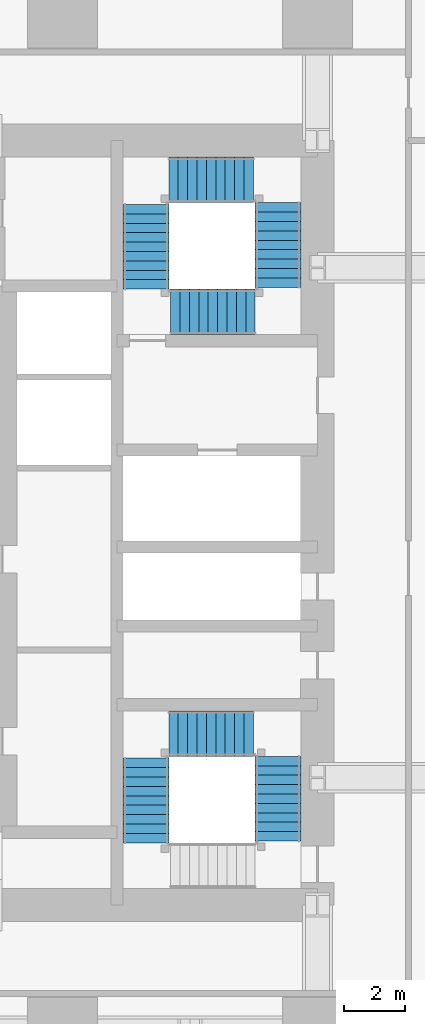
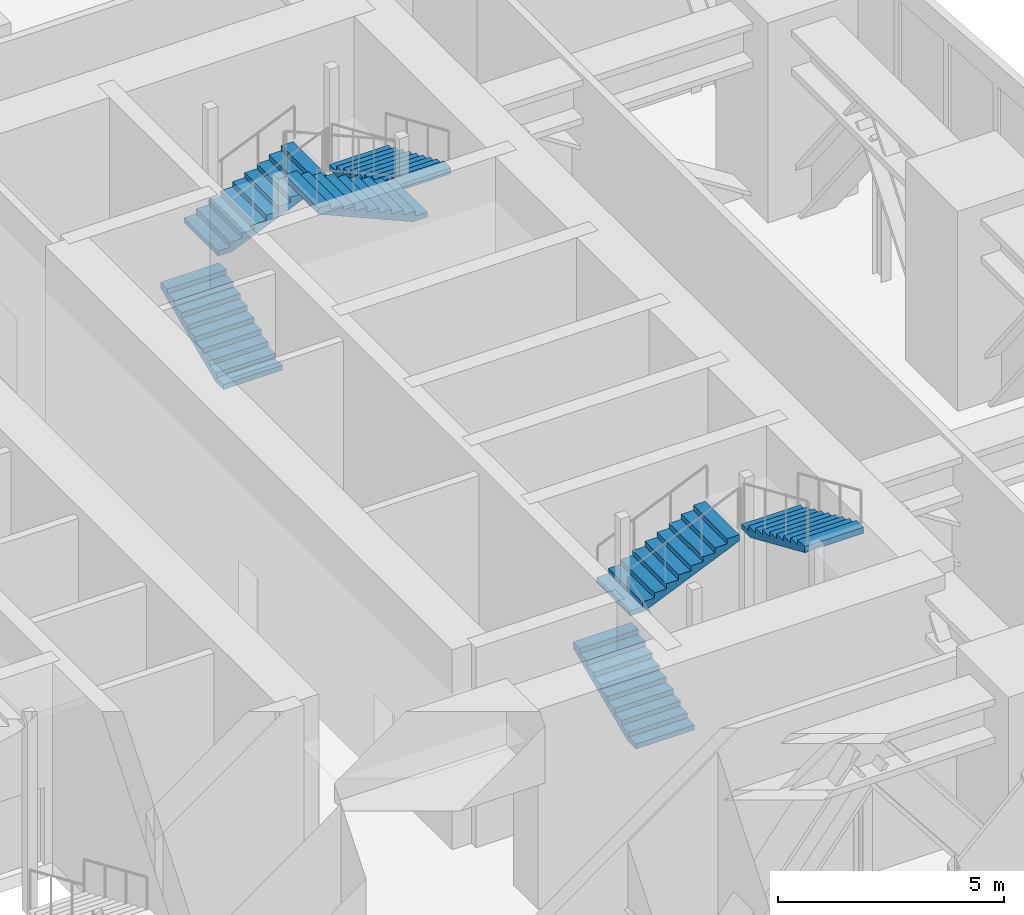
# One storey, part 12 of 16: 7 stair flights, 2 elements without a shape of their own.
"""IFC4 building model written with IfcOpenShell, lengths in metres."""

from ifc_helpers import new_model, si_unit, direction, frame, origin, place, context, subcontext, project, spatial, polyline, outline, extrude, material, type_object, element, aggregate, save


model = new_model("IFC4")

# Units and contexts
model_context = context("Model", 3, precision=1e-05, world=origin(), true_north=direction((0.0, 1.0)))
body_context = subcontext(model_context, "Body", "Model", "MODEL_VIEW")
ifc_project = project(units=[si_unit("LENGTHUNIT", "METRE"), si_unit("AREAUNIT", "SQUARE_METRE"), si_unit("VOLUMEUNIT", "CUBIC_METRE"), si_unit("PLANEANGLEUNIT", "RADIAN"), si_unit("MASSUNIT", "GRAM", prefix="KILO")], contexts=[model_context])

# Site, building, storey
site_placement = place(None, origin())
site = spatial("IfcSite", under=ifc_project, at=site_placement, CompositionType="ELEMENT")
building_placement = place(site_placement, origin())
building = spatial("IfcBuilding", under=site, at=building_placement, Name="Rekha Terrace Tower", CompositionType="ELEMENT")
storey_placement = place(building_placement, frame((0.0, 0.0, 240.199951171875)))
storey = spatial("IfcBuildingStorey", under=building, at=storey_placement, Name="L61", CompositionType="ELEMENT", Elevation=240.199951171875)

# Stair, stair flights
ifc_material = material(Name="Concrete M40", Category="concrete")
stair_type = type_object("IfcStairType", Name="ST40 stair, 40 risers of 135, going 310, 1500 wide flights, 4 flights", PredefinedType="QUARTER_TURN_STAIR", material=ifc_material)
stair_1_placement = place(storey_placement, origin())
stair_1 = element("IfcStair", 1, at=stair_1_placement, inside=storey, type_object=stair_type, Name="Stair ST2 L61 to L62", PredefinedType="QUARTER_TURN_STAIR")
stair_flight_type = type_object("IfcStairFlightType", Name="SF10 stair flight, 10 risers of 135, going 310, 1500 wide", PredefinedType="STRAIGHT", material=ifc_material)
stair_flight_1_placement = place(storey_placement, frame((44.75, 41.300048828125, 0.0), z_axis=(0.0, 0.0, 1.0), x_axis=(0.0, 1.0, 0.0)))
stair_flight_1 = element("IfcStairFlight", 2, at=stair_flight_1_placement, type_object=stair_flight_type, Name="ST2 flight 1", NumberOfRisers=10, NumberOfTreads=9, PredefinedType="STRAIGHT", RiserHeight=0.135, TreadLength=0.31, context=body_context, shape_type="SweptSolid", body=[
    extrude(outline(polyline([(0.0, 0.0), (0.0, 0.135009765625), (0.31005859375, 0.135009765625), (0.31005859375, 0.27001953125), (0.6201171875, 0.27001953125), (0.6201171875, 0.405029296875), (0.929931640625, 0.405029296875), (0.929931640625, 0.5400390625), (1.239990234375, 0.5400390625), (1.239990234375, 0.675048828125), (1.550048828125, 0.675048828125), (1.550048828125, 0.81005859375), (1.860107421875, 0.81005859375), (1.860107421875, 0.945068359375), (2.169921875, 0.945068359375), (2.169921875, 1.080078125), (2.47998046875, 1.080078125), (2.47998046875, 1.215087890625), (2.7900390625, 1.215087890625), (2.7900390625, 1.35009765625), (2.7900390625, 1.051513671875), (0.37548828125, 0.0), (0.0, 0.0)])), frame((0.0, 0.75, 0.0), z_axis=(0.0, -1.0, 0.0), x_axis=(1.0, 0.0, 0.0)), (0.0, 0.0, 1.0), 1.5),
])
stair_flight_2_placement = place(storey_placement, frame((45.5, 44.89990234375, 1.35009765625), z_axis=(0.0, 0.0, 1.0), x_axis=(1.0, 0.0, 0.0)))
stair_flight_2 = element("IfcStairFlight", 3, at=stair_flight_2_placement, type_object=stair_flight_type, Name="ST2 flight 2", NumberOfRisers=10, NumberOfTreads=9, PredefinedType="STRAIGHT", RiserHeight=0.135, TreadLength=0.31, context=body_context, shape_type="SweptSolid", body=[
    extrude(outline(polyline([(0.0, 0.0), (0.0, 0.135009765625), (0.31005859375, 0.135009765625), (0.31005859375, 0.27001953125), (0.6201171875, 0.27001953125), (0.6201171875, 0.405029296875), (0.929931640625, 0.405029296875), (0.929931640625, 0.5400390625), (1.239990234375, 0.5400390625), (1.239990234375, 0.675048828125), (1.550048828125, 0.675048828125), (1.550048828125, 0.81005859375), (1.860107421875, 0.81005859375), (1.860107421875, 0.945068359375), (2.169921875, 0.945068359375), (2.169921875, 1.080078125), (2.47998046875, 1.080078125), (2.47998046875, 1.215087890625), (2.7900390625, 1.215087890625), (2.7900390625, 1.35009765625), (2.7900390625, 1.051513671875), (0.37548828125, 0.0), (0.0, 0.0)])), frame((0.0, 0.75, 0.0), z_axis=(0.0, -1.0, 0.0), x_axis=(1.0, 0.0, 0.0)), (0.0, 0.0, 1.0), 1.5),
])
stair_flight_3_placement = place(storey_placement, frame((49.10009765625, 44.14990234375, 2.699951171875), z_axis=(0.0, 0.0, 1.0), x_axis=(0.0, -1.0, 0.0)))
stair_flight_3 = element("IfcStairFlight", 4, at=stair_flight_3_placement, type_object=stair_flight_type, Name="ST2 flight 3", NumberOfRisers=10, NumberOfTreads=9, PredefinedType="STRAIGHT", RiserHeight=0.135, TreadLength=0.31, context=body_context, shape_type="SweptSolid", body=[
    extrude(outline(polyline([(0.0, 0.0), (0.0, 0.135009765625), (0.31005859375, 0.135009765625), (0.31005859375, 0.27001953125), (0.6201171875, 0.27001953125), (0.6201171875, 0.405029296875), (0.929931640625, 0.405029296875), (0.929931640625, 0.5400390625), (1.239990234375, 0.5400390625), (1.239990234375, 0.675048828125), (1.550048828125, 0.675048828125), (1.550048828125, 0.81005859375), (1.860107421875, 0.81005859375), (1.860107421875, 0.945068359375), (2.169921875, 0.945068359375), (2.169921875, 1.080078125), (2.47998046875, 1.080078125), (2.47998046875, 1.215087890625), (2.7900390625, 1.215087890625), (2.7900390625, 1.35009765625), (2.7900390625, 1.051513671875), (0.37548828125, 0.0), (0.0, 0.0)])), frame((0.0, 0.75, 0.0), z_axis=(0.0, -1.0, 0.0), x_axis=(1.0, 0.0, 0.0)), (0.0, 0.0, 1.0), 1.5),
])
stair_flight_4_placement = place(storey_placement, frame((48.35009765625, 40.550048828125, 4.050048828125), z_axis=(0.0, 0.0, 1.0), x_axis=(-1.0, 0.0, 0.0)))
stair_flight_4 = element("IfcStairFlight", 5, at=stair_flight_4_placement, type_object=stair_flight_type, Name="ST2 flight 4", NumberOfRisers=10, NumberOfTreads=9, PredefinedType="STRAIGHT", RiserHeight=0.135, TreadLength=0.31, context=body_context, shape_type="SweptSolid", body=[
    extrude(outline(polyline([(0.0, 0.0), (0.0, 0.135009765625), (0.31005859375, 0.135009765625), (0.31005859375, 0.27001953125), (0.6201171875, 0.27001953125), (0.6201171875, 0.405029296875), (0.929931640625, 0.405029296875), (0.929931640625, 0.5400390625), (1.239990234375, 0.5400390625), (1.239990234375, 0.675048828125), (1.550048828125, 0.675048828125), (1.550048828125, 0.81005859375), (1.860107421875, 0.81005859375), (1.860107421875, 0.945068359375), (2.169921875, 0.945068359375), (2.169921875, 1.080078125), (2.47998046875, 1.080078125), (2.47998046875, 1.215087890625), (2.7900390625, 1.215087890625), (2.7900390625, 1.35009765625), (2.7900390625, 1.051513671875), (0.37548828125, 0.0), (0.0, 0.0)])), frame((0.0, 0.75, 0.0), z_axis=(0.0, -1.0, 0.0), x_axis=(1.0, 0.0, 0.0)), (0.0, 0.0, 1.0), 1.5),
])
aggregate(stair_1, [stair_flight_1, stair_flight_2, stair_flight_3, stair_flight_4])

stair_2_placement = place(storey_placement, origin())
stair_2 = element("IfcStair", 6, at=stair_2_placement, inside=storey, type_object=stair_type, Name="Stair ST3 L61 to L62", PredefinedType="QUARTER_TURN_STAIR")
stair_flight_5_placement = place(storey_placement, frame((44.75, 23.050048828125, 1.35009765625), z_axis=(0.0, 0.0, 1.0), x_axis=(0.0, 1.0, 0.0)))
stair_flight_5 = element("IfcStairFlight", 7, at=stair_flight_5_placement, type_object=stair_flight_type, Name="ST3 flight 2", NumberOfRisers=10, NumberOfTreads=9, PredefinedType="STRAIGHT", RiserHeight=0.135, TreadLength=0.31, context=body_context, shape_type="SweptSolid", body=[
    extrude(outline(polyline([(0.0, 0.0), (0.0, 0.135009765625), (0.31005859375, 0.135009765625), (0.31005859375, 0.27001953125), (0.6201171875, 0.27001953125), (0.6201171875, 0.405029296875), (0.929931640625, 0.405029296875), (0.929931640625, 0.5400390625), (1.239990234375, 0.5400390625), (1.239990234375, 0.675048828125), (1.550048828125, 0.675048828125), (1.550048828125, 0.81005859375), (1.860107421875, 0.81005859375), (1.860107421875, 0.945068359375), (2.169921875, 0.945068359375), (2.169921875, 1.080078125), (2.47998046875, 1.080078125), (2.47998046875, 1.215087890625), (2.7900390625, 1.215087890625), (2.7900390625, 1.35009765625), (2.7900390625, 1.051513671875), (0.37548828125, 0.0), (0.0, 0.0)])), frame((0.0, 0.75, 0.0), z_axis=(0.0, -1.0, 0.0), x_axis=(1.0, 0.0, 0.0)), (0.0, 0.0, 1.0), 1.5),
])
stair_flight_6_placement = place(storey_placement, frame((45.5, 26.64990234375, 2.699951171875), z_axis=(0.0, 0.0, 1.0), x_axis=(1.0, 0.0, 0.0)))
stair_flight_6 = element("IfcStairFlight", 8, at=stair_flight_6_placement, type_object=stair_flight_type, Name="ST3 flight 3", NumberOfRisers=10, NumberOfTreads=9, PredefinedType="STRAIGHT", RiserHeight=0.135, TreadLength=0.31, context=body_context, shape_type="SweptSolid", body=[
    extrude(outline(polyline([(0.0, 0.0), (0.0, 0.135009765625), (0.31005859375, 0.135009765625), (0.31005859375, 0.27001953125), (0.6201171875, 0.27001953125), (0.6201171875, 0.405029296875), (0.929931640625, 0.405029296875), (0.929931640625, 0.5400390625), (1.239990234375, 0.5400390625), (1.239990234375, 0.675048828125), (1.550048828125, 0.675048828125), (1.550048828125, 0.81005859375), (1.860107421875, 0.81005859375), (1.860107421875, 0.945068359375), (2.169921875, 0.945068359375), (2.169921875, 1.080078125), (2.47998046875, 1.080078125), (2.47998046875, 1.215087890625), (2.7900390625, 1.215087890625), (2.7900390625, 1.35009765625), (2.7900390625, 1.051513671875), (0.37548828125, 0.0), (0.0, 0.0)])), frame((0.0, 0.75, 0.0), z_axis=(0.0, -1.0, 0.0), x_axis=(1.0, 0.0, 0.0)), (0.0, 0.0, 1.0), 1.5),
])
stair_flight_7_placement = place(storey_placement, frame((49.10009765625, 25.89990234375, 4.050048828125), z_axis=(0.0, 0.0, 1.0), x_axis=(0.0, -1.0, 0.0)))
stair_flight_7 = element("IfcStairFlight", 9, at=stair_flight_7_placement, type_object=stair_flight_type, Name="ST3 flight 4", NumberOfRisers=10, NumberOfTreads=9, PredefinedType="STRAIGHT", RiserHeight=0.135, TreadLength=0.31, context=body_context, shape_type="SweptSolid", body=[
    extrude(outline(polyline([(0.0, 0.0), (0.0, 0.135009765625), (0.31005859375, 0.135009765625), (0.31005859375, 0.27001953125), (0.6201171875, 0.27001953125), (0.6201171875, 0.405029296875), (0.929931640625, 0.405029296875), (0.929931640625, 0.5400390625), (1.239990234375, 0.5400390625), (1.239990234375, 0.675048828125), (1.550048828125, 0.675048828125), (1.550048828125, 0.81005859375), (1.860107421875, 0.81005859375), (1.860107421875, 0.945068359375), (2.169921875, 0.945068359375), (2.169921875, 1.080078125), (2.47998046875, 1.080078125), (2.47998046875, 1.215087890625), (2.7900390625, 1.215087890625), (2.7900390625, 1.35009765625), (2.7900390625, 1.051513671875), (0.37548828125, 0.0), (0.0, 0.0)])), frame((0.0, 0.75, 0.0), z_axis=(0.0, -1.0, 0.0), x_axis=(1.0, 0.0, 0.0)), (0.0, 0.0, 1.0), 1.5),
])
aggregate(stair_2, [stair_flight_5, stair_flight_6, stair_flight_7])

save(model, "model.ifc")
